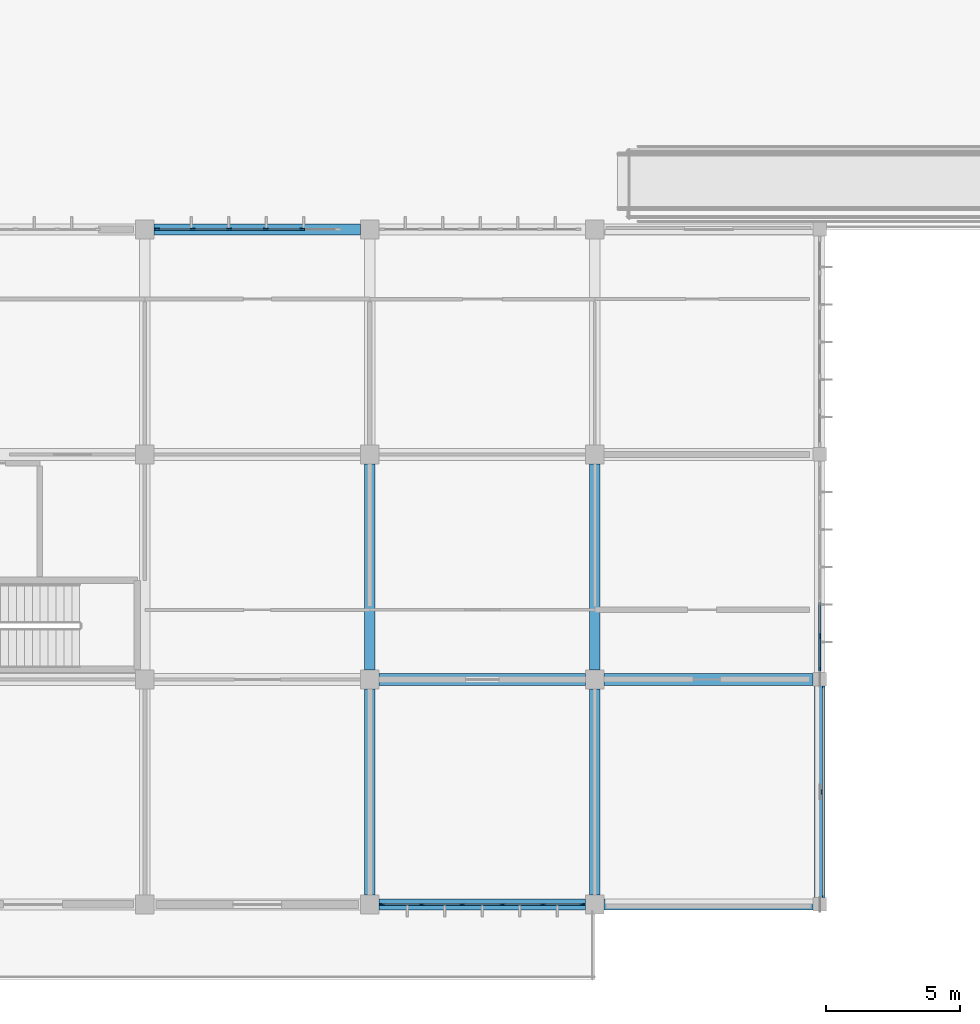
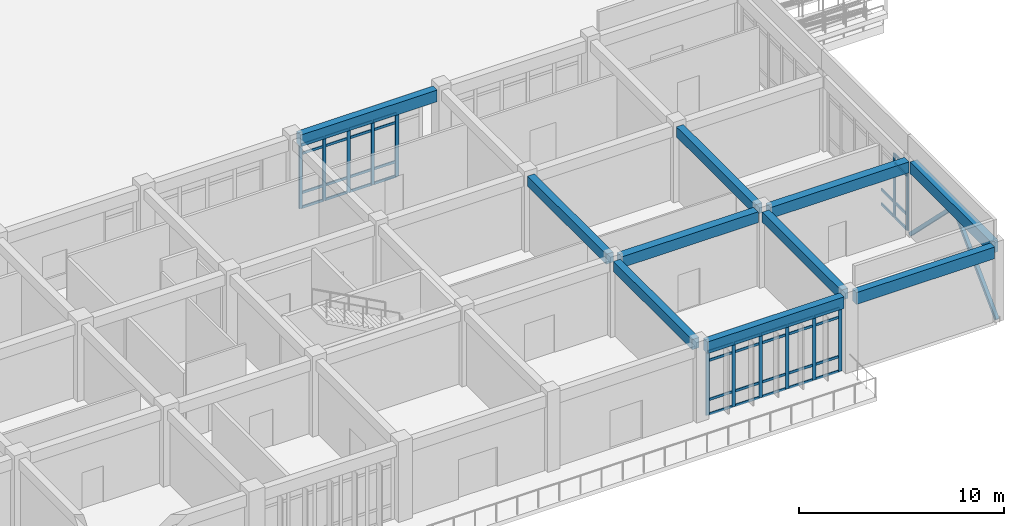
# One storey, part 49 of 138: 57 members, 10 beams, 3 elements without a shape of their own.
"""IFC4 building model written with IfcOpenShell, lengths in metres."""

from ifc_helpers import new_model, si_unit, direction, frame, origin, origin_2d, place, context, subcontext, project, spatial, rectangle, hollow_rectangle, extrude, material, layer, layer_set, material_profile, profile_set, type_object, element, aggregate, save


model = new_model("IFC4")

# Units and contexts
model_context = context("Model", 3, precision=1e-05, world=origin(), true_north=direction((0.0, 1.0)))
body_context = subcontext(model_context, "Body", "Model", "MODEL_VIEW")
ifc_project = project(units=[si_unit("LENGTHUNIT", "METRE"), si_unit("AREAUNIT", "SQUARE_METRE"), si_unit("VOLUMEUNIT", "CUBIC_METRE"), si_unit("PLANEANGLEUNIT", "RADIAN"), si_unit("MASSUNIT", "GRAM", prefix="KILO")], contexts=[model_context])

# Site, building, storey
site_placement = place(None, origin())
site = spatial("IfcSite", under=ifc_project, at=site_placement, CompositionType="ELEMENT")
building_placement = place(site_placement, origin())
building = spatial("IfcBuilding", under=site, at=building_placement, Name="Bramfleet General Hospital", CompositionType="ELEMENT")
storey_placement = place(building_placement, origin())
storey = spatial("IfcBuildingStorey", under=building, at=storey_placement, Name="L00", CompositionType="ELEMENT", Elevation=0.0)

# Beams
ifc_material_1 = material(Name="Concrete C35/45", Category="concrete")
ifc_material_profile_1 = material_profile(ifc_material_1, rectangle(XDim=0.39990234375, YDim=0.60009765625, at=origin_2d()), Name="RC BM 600x400")
ifc_profile_set_1 = profile_set([ifc_material_profile_1], Name="Concrete C35/45")
beam_type_1 = type_object("IfcBeamType", Name="BM-RC600", PredefinedType="BEAM", material=ifc_profile_set_1)
for number, where, z_axis, x_axis, name in (
    (1, (159.60009765625, 0.35009765625, 4.199951171875), (0.0, 1.0, 0.0), (-1.0, 0.0, 0.0), "L00 Grid Beam Y 19-00"),
    (2, (159.60009765625, 8.75, 4.199951171875), (0.0, 1.0, 0.0), (-1.0, 0.0, 0.0), "L00 Grid Beam Y 19-01"),
    (3, (168.0, 0.35009765625, 4.199951171875), (0.0, 1.0, 0.0), (-1.0, 0.0, 0.0), "L00 Grid Beam Y 20-00"),
    (4, (168.0, 8.75, 4.199951171875), (0.0, 1.0, 0.0), (-1.0, 0.0, 0.0), "L00 Grid Beam Y 20-01"),
):
    element("IfcBeam", number, at=place(storey_placement, frame(where, z_axis=z_axis, x_axis=x_axis)), inside=storey, type_object=beam_type_1, Name=name, PredefinedType="BEAM", context=body_context, shape_type="SweptSolid", body=[
        extrude(rectangle(XDim=0.39990234375, YDim=0.60009765625, at=origin_2d()), origin(), (0.0, 0.0, 1.0), 7.699951171875),
    ])
ifc_material_profile_2 = material_profile(ifc_material_1, rectangle(XDim=0.449951171875, YDim=0.64990234375, at=origin_2d()), Name="RC BM 650x450")
ifc_profile_set_2 = profile_set([ifc_material_profile_2], Name="Concrete C35/45")
beam_type_2 = type_object("IfcBeamType", Name="BM-RC650", PredefinedType="BEAM", material=ifc_profile_set_2)
beam_1_placement = place(storey_placement, frame((159.949951171875, 8.39990234375, 4.175048828125), z_axis=(1.0, 0.0, 0.0), x_axis=(0.0, 1.0, 0.0)))
element("IfcBeam", 5, at=beam_1_placement, inside=storey, type_object=beam_type_2, Name="L00 Grid Beam X 19-01", PredefinedType="BEAM", context=body_context, shape_type="SweptSolid", body=[
    extrude(rectangle(XDim=0.449951171875, YDim=0.64990234375, at=origin_2d()), origin(), (0.0, 0.0, 1.0), 7.699951171875),
])
beam_2_placement = place(storey_placement, frame((168.35009765625, 8.39990234375, 4.175048828125), z_axis=(1.0, 0.0, 0.0), x_axis=(0.0, 1.0, 0.0)))
element("IfcBeam", 6, at=beam_2_placement, inside=storey, type_object=beam_type_2, Name="L00 Grid Beam X 20-01", PredefinedType="BEAM", context=body_context, shape_type="SweptSolid", body=[
    extrude(rectangle(XDim=0.449951171875, YDim=0.64990234375, at=origin_2d()), origin(), (0.0, 0.0, 1.0), 7.7998046875),
])
ifc_material_profile_3 = material_profile(ifc_material_1, rectangle(XDim=0.39990234375, YDim=0.699951171875, at=origin_2d()), Name="RC SP 700x400")
ifc_profile_set_3 = profile_set([ifc_material_profile_3], Name="Concrete C35/45")
beam_type_3 = type_object("IfcBeamType", Name="BM-SP700", PredefinedType="SPANDREL", material=ifc_profile_set_3)
for number, where, z_axis, x_axis, name in (
    (7, (151.550048828125, 25.199951171875, 4.14990234375), (1.0, 0.0, 0.0), (0.0, 1.0, 0.0), "L00 Grid Beam X 18-03"),
    (8, (159.949951171875, 0.0, 4.14990234375), (1.0, 0.0, 0.0), (0.0, 1.0, 0.0), "L00 Grid Beam X 19-00"),
):
    element("IfcBeam", number, at=place(storey_placement, frame(where, z_axis=z_axis, x_axis=x_axis)), inside=storey, type_object=beam_type_3, Name=name, PredefinedType="SPANDREL", context=body_context, shape_type="SweptSolid", body=[
        extrude(rectangle(XDim=0.39990234375, YDim=0.699951171875, at=origin_2d()), origin(), (0.0, 0.0, 1.0), 7.699951171875),
    ])
beam_3_placement = place(storey_placement, frame((168.35009765625, 0.0, 4.14990234375), z_axis=(1.0, 0.0, 0.0), x_axis=(0.0, 1.0, 0.0)))
element("IfcBeam", 9, at=beam_3_placement, inside=storey, type_object=beam_type_3, Name="L00 Grid Beam X 20-00", PredefinedType="SPANDREL", context=body_context, shape_type="SweptSolid", body=[
    extrude(rectangle(XDim=0.39990234375, YDim=0.699951171875, at=origin_2d()), origin(), (0.0, 0.0, 1.0), 7.7998046875),
])
beam_4_placement = place(storey_placement, frame((176.39990234375, 0.25, 4.14990234375), z_axis=(0.0, 1.0, 0.0), x_axis=(-1.0, 0.0, 0.0)))
element("IfcBeam", 10, at=beam_4_placement, inside=storey, type_object=beam_type_3, Name="L00 Grid Beam Y 21-00", PredefinedType="SPANDREL", context=body_context, shape_type="SweptSolid", body=[
    extrude(rectangle(XDim=0.39990234375, YDim=0.699951171875, at=origin_2d()), origin(), (0.0, 0.0, 1.0), 7.89990234375),
])

# Curtain wall, members
ifc_material_2 = material(Name="Anodised aluminium and low-E triple glazing", Category="aluminium")
ifc_layer_1 = layer(ifc_material_2, 0.179931640625, Name="CWT-CW-11")
ifc_layer_set_1 = layer_set([ifc_layer_1], Name="Anodised aluminium and low-E triple glazing")
curtain_wall_type_1 = type_object("IfcCurtainWallType", Name="CWT-CW-11", PredefinedType="USERDEFINED", material=ifc_layer_set_1)
curtain_wall_1_placement = place(storey_placement, origin())
curtain_wall_1 = element("IfcCurtainWall", 11, at=curtain_wall_1_placement, inside=storey, type_object=curtain_wall_type_1, Name="L00 Curtain Wall 29", ObjectType="Stick curtain wall", PredefinedType="USERDEFINED")
ifc_material_3 = material(Name="Structural timber GL28h", Category="wood")
ifc_material_profile_4 = material_profile(ifc_material_3, rectangle(XDim=0.070068359375, YDim=0.18994140625, at=origin_2d()), Name="LARCH 190x70")
ifc_profile_set_4 = profile_set([ifc_material_profile_4], Name="Structural timber GL28h")
member_type_1 = type_object("IfcMemberType", Name="CWM-LARCH450", PredefinedType="MULLION", material=ifc_profile_set_4)
member_1_placement = place(storey_placement, frame((151.659912109375, 25.199951171875, 0.0), z_axis=(0.0, 0.0, 1.0), x_axis=(0.0, 1.0, 0.0)))
member_1 = element("IfcMember", 12, at=member_1_placement, type_object=member_type_1, Name="CW-11 mullion 1", PredefinedType="MULLION", context=body_context, shape_type="SweptSolid", body=[
    extrude(rectangle(XDim=0.070068359375, YDim=0.18994140625, at=origin_2d()), origin(), (0.0, 0.0, 1.0), 3.7900390625),
])
member_2_placement = place(storey_placement, frame((152.989501953125, 25.199951171875, 0.0), z_axis=(0.0, 0.0, 1.0), x_axis=(0.0, 1.0, 0.0)))
member_2 = element("IfcMember", 13, at=member_2_placement, type_object=member_type_1, Name="CW-11 mullion 2", PredefinedType="MULLION", context=body_context, shape_type="SweptSolid", body=[
    extrude(rectangle(XDim=0.070068359375, YDim=0.18994140625, at=origin_2d()), origin(), (0.0, 0.0, 1.0), 3.7900390625),
])
member_3_placement = place(storey_placement, frame((154.354248046875, 25.199951171875, 0.0), z_axis=(0.0, 0.0, 1.0), x_axis=(0.0, 1.0, 0.0)))
member_3 = element("IfcMember", 14, at=member_3_placement, type_object=member_type_1, Name="CW-11 mullion 3", PredefinedType="MULLION", context=body_context, shape_type="SweptSolid", body=[
    extrude(rectangle(XDim=0.070068359375, YDim=0.18994140625, at=origin_2d()), origin(), (0.0, 0.0, 1.0), 3.7900390625),
])
member_4_placement = place(storey_placement, frame((155.71875, 25.199951171875, 0.0), z_axis=(0.0, 0.0, 1.0), x_axis=(0.0, 1.0, 0.0)))
member_4 = element("IfcMember", 15, at=member_4_placement, type_object=member_type_1, Name="CW-11 mullion 4", PredefinedType="MULLION", context=body_context, shape_type="SweptSolid", body=[
    extrude(rectangle(XDim=0.070068359375, YDim=0.18994140625, at=origin_2d()), origin(), (0.0, 0.0, 1.0), 3.7900390625),
])
member_5_placement = place(storey_placement, frame((157.08349609375, 25.199951171875, 0.0), z_axis=(0.0, 0.0, 1.0), x_axis=(0.0, 1.0, 0.0)))
member_5 = element("IfcMember", 16, at=member_5_placement, type_object=member_type_1, Name="CW-11 mullion 5", PredefinedType="MULLION", context=body_context, shape_type="SweptSolid", body=[
    extrude(rectangle(XDim=0.070068359375, YDim=0.18994140625, at=origin_2d()), origin(), (0.0, 0.0, 1.0), 3.7900390625),
])

ifc_layer_2 = layer(ifc_material_2, 0.179931640625, Name="CWT-CW-14")
ifc_layer_set_2 = layer_set([ifc_layer_2], Name="Anodised aluminium and low-E triple glazing")
curtain_wall_type_2 = type_object("IfcCurtainWallType", Name="CWT-CW-14", PredefinedType="USERDEFINED", material=ifc_layer_set_2)
curtain_wall_2_placement = place(storey_placement, origin())
curtain_wall_2 = element("IfcCurtainWall", 17, at=curtain_wall_2_placement, inside=storey, type_object=curtain_wall_type_2, Name="L00 Curtain Wall 32", ObjectType="Stick curtain wall", PredefinedType="USERDEFINED")
member_6_placement = place(storey_placement, frame((176.39990234375, 10.0166015625, 0.0), z_axis=(0.0, 0.0, 1.0), x_axis=(1.0, 0.0, 0.0)))
member_6 = element("IfcMember", 18, at=member_6_placement, type_object=member_type_1, Name="CW-14 mullion 6", PredefinedType="MULLION", context=body_context, shape_type="SweptSolid", body=[
    extrude(rectangle(XDim=0.070068359375, YDim=0.18994140625, at=origin_2d()), origin(), (0.0, 0.0, 1.0), 3.7900390625),
])
member_7_placement = place(storey_placement, frame((176.39990234375, 8.760009765625, 0.0), z_axis=(0.0, 0.0, 1.0), x_axis=(1.0, 0.0, 0.0)))
member_7 = element("IfcMember", 19, at=member_7_placement, type_object=member_type_1, Name="CW-14 mullion 7", PredefinedType="MULLION", context=body_context, shape_type="SweptSolid", body=[
    extrude(rectangle(XDim=0.070068359375, YDim=0.18994140625, at=origin_2d()), origin(), (0.0, 0.0, 1.0), 3.7900390625),
])

ifc_layer_3 = layer(ifc_material_2, 0.179931640625, Name="CWT-CW-15")
ifc_layer_set_3 = layer_set([ifc_layer_3], Name="Anodised aluminium and low-E triple glazing")
curtain_wall_type_3 = type_object("IfcCurtainWallType", Name="CWT-CW-15", PredefinedType="USERDEFINED", material=ifc_layer_set_3)
curtain_wall_3_placement = place(storey_placement, origin())
curtain_wall_3 = element("IfcCurtainWall", 20, at=curtain_wall_3_placement, inside=storey, type_object=curtain_wall_type_3, Name="L00 Curtain Wall 33", ObjectType="Stick curtain wall", PredefinedType="USERDEFINED")
member_8_placement = place(storey_placement, frame((167.5400390625, 0.0, 0.0), z_axis=(0.0, 0.0, 1.0), x_axis=(0.0, -1.0, 0.0)))
member_8 = element("IfcMember", 21, at=member_8_placement, type_object=member_type_1, Name="CW-15 mullion 1", PredefinedType="MULLION", context=body_context, shape_type="SweptSolid", body=[
    extrude(rectangle(XDim=0.070068359375, YDim=0.18994140625, at=origin_2d()), origin(), (0.0, 0.0, 1.0), 3.7900390625),
])
member_9_placement = place(storey_placement, frame((166.06494140625, 0.0, 0.0), z_axis=(0.0, 0.0, 1.0), x_axis=(0.0, -1.0, 0.0)))
member_9 = element("IfcMember", 22, at=member_9_placement, type_object=member_type_1, Name="CW-15 mullion 2", PredefinedType="MULLION", context=body_context, shape_type="SweptSolid", body=[
    extrude(rectangle(XDim=0.070068359375, YDim=0.18994140625, at=origin_2d()), origin(), (0.0, 0.0, 1.0), 3.7900390625),
])
member_10_placement = place(storey_placement, frame((164.554931640625, 0.0, 0.0), z_axis=(0.0, 0.0, 1.0), x_axis=(0.0, -1.0, 0.0)))
member_10 = element("IfcMember", 23, at=member_10_placement, type_object=member_type_1, Name="CW-15 mullion 3", PredefinedType="MULLION", context=body_context, shape_type="SweptSolid", body=[
    extrude(rectangle(XDim=0.070068359375, YDim=0.18994140625, at=origin_2d()), origin(), (0.0, 0.0, 1.0), 3.7900390625),
])
member_11_placement = place(storey_placement, frame((163.044921875, 0.0, 0.0), z_axis=(0.0, 0.0, 1.0), x_axis=(0.0, -1.0, 0.0)))
member_11 = element("IfcMember", 24, at=member_11_placement, type_object=member_type_1, Name="CW-15 mullion 4", PredefinedType="MULLION", context=body_context, shape_type="SweptSolid", body=[
    extrude(rectangle(XDim=0.070068359375, YDim=0.18994140625, at=origin_2d()), origin(), (0.0, 0.0, 1.0), 3.7900390625),
])
member_12_placement = place(storey_placement, frame((161.534912109375, 0.0, 0.0), z_axis=(0.0, 0.0, 1.0), x_axis=(0.0, -1.0, 0.0)))
member_12 = element("IfcMember", 25, at=member_12_placement, type_object=member_type_1, Name="CW-15 mullion 5", PredefinedType="MULLION", context=body_context, shape_type="SweptSolid", body=[
    extrude(rectangle(XDim=0.070068359375, YDim=0.18994140625, at=origin_2d()), origin(), (0.0, 0.0, 1.0), 3.7900390625),
])
member_13_placement = place(storey_placement, frame((160.06005859375, 0.0, 0.0), z_axis=(0.0, 0.0, 1.0), x_axis=(0.0, -1.0, 0.0)))
member_13 = element("IfcMember", 26, at=member_13_placement, type_object=member_type_1, Name="CW-15 mullion 6", PredefinedType="MULLION", context=body_context, shape_type="SweptSolid", body=[
    extrude(rectangle(XDim=0.070068359375, YDim=0.18994140625, at=origin_2d()), origin(), (0.0, 0.0, 1.0), 3.7900390625),
])

# Member
ifc_material_profile_5 = material_profile(ifc_material_3, rectangle(XDim=0.06494140625, YDim=0.14990234375, at=origin_2d()), Name="LARCH 150x65")
ifc_profile_set_5 = profile_set([ifc_material_profile_5], Name="Structural timber GL28h")
member_type_2 = type_object("IfcMemberType", Name="CWT-LARCH220", PredefinedType="USERDEFINED", material=ifc_profile_set_5)
member_14_placement = place(storey_placement, frame((151.695068359375, 25.199951171875, 0.032470703125), z_axis=(1.0, 0.0, 0.0), x_axis=(0.0, 1.0, 0.0)))
member_14 = element("IfcMember", 27, at=member_14_placement, type_object=member_type_2, Name="CW-11 transom 1.1", ObjectType="TRANSOM", PredefinedType="USERDEFINED", context=body_context, shape_type="SweptSolid", body=[
    extrude(rectangle(XDim=0.06494140625, YDim=0.14990234375, at=origin_2d()), origin(), (0.0, 0.0, 1.0), 1.259521484375),
])

member_15_placement = place(storey_placement, frame((151.695068359375, 25.199951171875, 0.89990234375), z_axis=(1.0, 0.0, 0.0), x_axis=(0.0, 1.0, 0.0)))
member_15 = element("IfcMember", 28, at=member_15_placement, type_object=member_type_2, Name="CW-11 transom 1.2", ObjectType="TRANSOM", PredefinedType="USERDEFINED", context=body_context, shape_type="SweptSolid", body=[
    extrude(rectangle(XDim=0.06494140625, YDim=0.14990234375, at=origin_2d()), origin(), (0.0, 0.0, 1.0), 1.259521484375),
])

member_16_placement = place(storey_placement, frame((151.695068359375, 25.199951171875, 3.239990234375), z_axis=(1.0, 0.0, 0.0), x_axis=(0.0, 1.0, 0.0)))
member_16 = element("IfcMember", 29, at=member_16_placement, type_object=member_type_2, Name="CW-11 transom 1.3", ObjectType="TRANSOM", PredefinedType="USERDEFINED", context=body_context, shape_type="SweptSolid", body=[
    extrude(rectangle(XDim=0.06494140625, YDim=0.14990234375, at=origin_2d()), origin(), (0.0, 0.0, 1.0), 1.259521484375),
])

member_17_placement = place(storey_placement, frame((151.695068359375, 25.199951171875, 3.757568359375), z_axis=(1.0, 0.0, 0.0), x_axis=(0.0, 1.0, 0.0)))
member_17 = element("IfcMember", 30, at=member_17_placement, type_object=member_type_2, Name="CW-11 transom 1.4", ObjectType="TRANSOM", PredefinedType="USERDEFINED", context=body_context, shape_type="SweptSolid", body=[
    extrude(rectangle(XDim=0.06494140625, YDim=0.14990234375, at=origin_2d()), origin(), (0.0, 0.0, 1.0), 1.259521484375),
])

member_18_placement = place(storey_placement, frame((153.024658203125, 25.199951171875, 0.032470703125), z_axis=(1.0, 0.0, 0.0), x_axis=(0.0, 1.0, 0.0)))
member_18 = element("IfcMember", 31, at=member_18_placement, type_object=member_type_2, Name="CW-11 transom 2.1", ObjectType="TRANSOM", PredefinedType="USERDEFINED", context=body_context, shape_type="SweptSolid", body=[
    extrude(rectangle(XDim=0.06494140625, YDim=0.14990234375, at=origin_2d()), origin(), (0.0, 0.0, 1.0), 1.29443359375),
])

member_19_placement = place(storey_placement, frame((153.024658203125, 25.199951171875, 0.89990234375), z_axis=(1.0, 0.0, 0.0), x_axis=(0.0, 1.0, 0.0)))
member_19 = element("IfcMember", 32, at=member_19_placement, type_object=member_type_2, Name="CW-11 transom 2.2", ObjectType="TRANSOM", PredefinedType="USERDEFINED", context=body_context, shape_type="SweptSolid", body=[
    extrude(rectangle(XDim=0.06494140625, YDim=0.14990234375, at=origin_2d()), origin(), (0.0, 0.0, 1.0), 1.29443359375),
])

member_20_placement = place(storey_placement, frame((153.024658203125, 25.199951171875, 3.239990234375), z_axis=(1.0, 0.0, 0.0), x_axis=(0.0, 1.0, 0.0)))
member_20 = element("IfcMember", 33, at=member_20_placement, type_object=member_type_2, Name="CW-11 transom 2.3", ObjectType="TRANSOM", PredefinedType="USERDEFINED", context=body_context, shape_type="SweptSolid", body=[
    extrude(rectangle(XDim=0.06494140625, YDim=0.14990234375, at=origin_2d()), origin(), (0.0, 0.0, 1.0), 1.29443359375),
])

member_21_placement = place(storey_placement, frame((153.024658203125, 25.199951171875, 3.757568359375), z_axis=(1.0, 0.0, 0.0), x_axis=(0.0, 1.0, 0.0)))
member_21 = element("IfcMember", 34, at=member_21_placement, type_object=member_type_2, Name="CW-11 transom 2.4", ObjectType="TRANSOM", PredefinedType="USERDEFINED", context=body_context, shape_type="SweptSolid", body=[
    extrude(rectangle(XDim=0.06494140625, YDim=0.14990234375, at=origin_2d()), origin(), (0.0, 0.0, 1.0), 1.29443359375),
])

member_22_placement = place(storey_placement, frame((154.38916015625, 25.199951171875, 0.032470703125), z_axis=(1.0, 0.0, 0.0), x_axis=(0.0, 1.0, 0.0)))
member_22 = element("IfcMember", 35, at=member_22_placement, type_object=member_type_2, Name="CW-11 transom 3.1", ObjectType="TRANSOM", PredefinedType="USERDEFINED", context=body_context, shape_type="SweptSolid", body=[
    extrude(rectangle(XDim=0.06494140625, YDim=0.14990234375, at=origin_2d()), origin(), (0.0, 0.0, 1.0), 1.294677734375),
])

member_23_placement = place(storey_placement, frame((154.38916015625, 25.199951171875, 0.89990234375), z_axis=(1.0, 0.0, 0.0), x_axis=(0.0, 1.0, 0.0)))
member_23 = element("IfcMember", 36, at=member_23_placement, type_object=member_type_2, Name="CW-11 transom 3.2", ObjectType="TRANSOM", PredefinedType="USERDEFINED", context=body_context, shape_type="SweptSolid", body=[
    extrude(rectangle(XDim=0.06494140625, YDim=0.14990234375, at=origin_2d()), origin(), (0.0, 0.0, 1.0), 1.294677734375),
])

member_24_placement = place(storey_placement, frame((154.38916015625, 25.199951171875, 3.239990234375), z_axis=(1.0, 0.0, 0.0), x_axis=(0.0, 1.0, 0.0)))
member_24 = element("IfcMember", 37, at=member_24_placement, type_object=member_type_2, Name="CW-11 transom 3.3", ObjectType="TRANSOM", PredefinedType="USERDEFINED", context=body_context, shape_type="SweptSolid", body=[
    extrude(rectangle(XDim=0.06494140625, YDim=0.14990234375, at=origin_2d()), origin(), (0.0, 0.0, 1.0), 1.294677734375),
])

member_25_placement = place(storey_placement, frame((154.38916015625, 25.199951171875, 3.757568359375), z_axis=(1.0, 0.0, 0.0), x_axis=(0.0, 1.0, 0.0)))
member_25 = element("IfcMember", 38, at=member_25_placement, type_object=member_type_2, Name="CW-11 transom 3.4", ObjectType="TRANSOM", PredefinedType="USERDEFINED", context=body_context, shape_type="SweptSolid", body=[
    extrude(rectangle(XDim=0.06494140625, YDim=0.14990234375, at=origin_2d()), origin(), (0.0, 0.0, 1.0), 1.294677734375),
])

member_26_placement = place(storey_placement, frame((155.75390625, 25.199951171875, 0.032470703125), z_axis=(1.0, 0.0, 0.0), x_axis=(0.0, 1.0, 0.0)))
member_26 = element("IfcMember", 39, at=member_26_placement, type_object=member_type_2, Name="CW-11 transom 4.1", ObjectType="TRANSOM", PredefinedType="USERDEFINED", context=body_context, shape_type="SweptSolid", body=[
    extrude(rectangle(XDim=0.06494140625, YDim=0.14990234375, at=origin_2d()), origin(), (0.0, 0.0, 1.0), 1.29443359375),
])

member_27_placement = place(storey_placement, frame((155.75390625, 25.199951171875, 0.89990234375), z_axis=(1.0, 0.0, 0.0), x_axis=(0.0, 1.0, 0.0)))
member_27 = element("IfcMember", 40, at=member_27_placement, type_object=member_type_2, Name="CW-11 transom 4.2", ObjectType="TRANSOM", PredefinedType="USERDEFINED", context=body_context, shape_type="SweptSolid", body=[
    extrude(rectangle(XDim=0.06494140625, YDim=0.14990234375, at=origin_2d()), origin(), (0.0, 0.0, 1.0), 1.29443359375),
])

member_28_placement = place(storey_placement, frame((155.75390625, 25.199951171875, 3.239990234375), z_axis=(1.0, 0.0, 0.0), x_axis=(0.0, 1.0, 0.0)))
member_28 = element("IfcMember", 41, at=member_28_placement, type_object=member_type_2, Name="CW-11 transom 4.3", ObjectType="TRANSOM", PredefinedType="USERDEFINED", context=body_context, shape_type="SweptSolid", body=[
    extrude(rectangle(XDim=0.06494140625, YDim=0.14990234375, at=origin_2d()), origin(), (0.0, 0.0, 1.0), 1.29443359375),
])

member_29_placement = place(storey_placement, frame((155.75390625, 25.199951171875, 3.757568359375), z_axis=(1.0, 0.0, 0.0), x_axis=(0.0, 1.0, 0.0)))
member_29 = element("IfcMember", 42, at=member_29_placement, type_object=member_type_2, Name="CW-11 transom 4.4", ObjectType="TRANSOM", PredefinedType="USERDEFINED", context=body_context, shape_type="SweptSolid", body=[
    extrude(rectangle(XDim=0.06494140625, YDim=0.14990234375, at=origin_2d()), origin(), (0.0, 0.0, 1.0), 1.29443359375),
])

aggregate(curtain_wall_1, [member_1, member_2, member_3, member_4, member_5, member_14, member_15, member_16, member_17, member_18, member_19, member_20, member_21, member_22, member_23, member_24, member_25, member_26, member_27, member_28, member_29])

member_30_placement = place(storey_placement, frame((176.39990234375, 11.2734375, 0.032470703125), z_axis=(0.0, -1.0, 0.0), x_axis=(1.0, 0.0, 0.0)))
member_30 = element("IfcMember", 43, at=member_30_placement, type_object=member_type_2, Name="CW-14 transom 5.1", ObjectType="TRANSOM", PredefinedType="USERDEFINED", context=body_context, shape_type="SweptSolid", body=[
    extrude(rectangle(XDim=0.06494140625, YDim=0.14990234375, at=origin_2d()), origin(), (0.0, 0.0, 1.0), 1.2216796875),
])

member_31_placement = place(storey_placement, frame((176.39990234375, 11.2734375, 0.89990234375), z_axis=(0.0, -1.0, 0.0), x_axis=(1.0, 0.0, 0.0)))
member_31 = element("IfcMember", 44, at=member_31_placement, type_object=member_type_2, Name="CW-14 transom 5.2", ObjectType="TRANSOM", PredefinedType="USERDEFINED", context=body_context, shape_type="SweptSolid", body=[
    extrude(rectangle(XDim=0.06494140625, YDim=0.14990234375, at=origin_2d()), origin(), (0.0, 0.0, 1.0), 1.2216796875),
])

member_32_placement = place(storey_placement, frame((176.39990234375, 9.981689453125, 0.032470703125), z_axis=(0.0, -1.0, 0.0), x_axis=(1.0, 0.0, 0.0)))
member_32 = element("IfcMember", 45, at=member_32_placement, type_object=member_type_2, Name="CW-14 transom 6.1", ObjectType="TRANSOM", PredefinedType="USERDEFINED", context=body_context, shape_type="SweptSolid", body=[
    extrude(rectangle(XDim=0.06494140625, YDim=0.14990234375, at=origin_2d()), origin(), (0.0, 0.0, 1.0), 1.186767578125),
])

member_33_placement = place(storey_placement, frame((176.39990234375, 9.981689453125, 0.89990234375), z_axis=(0.0, -1.0, 0.0), x_axis=(1.0, 0.0, 0.0)))
member_33 = element("IfcMember", 46, at=member_33_placement, type_object=member_type_2, Name="CW-14 transom 6.2", ObjectType="TRANSOM", PredefinedType="USERDEFINED", context=body_context, shape_type="SweptSolid", body=[
    extrude(rectangle(XDim=0.06494140625, YDim=0.14990234375, at=origin_2d()), origin(), (0.0, 0.0, 1.0), 1.186767578125),
])

member_34_placement = place(storey_placement, frame((176.39990234375, 9.981689453125, 3.239990234375), z_axis=(0.0, -1.0, 0.0), x_axis=(1.0, 0.0, 0.0)))
member_34 = element("IfcMember", 47, at=member_34_placement, type_object=member_type_2, Name="CW-14 transom 6.3", ObjectType="TRANSOM", PredefinedType="USERDEFINED", context=body_context, shape_type="SweptSolid", body=[
    extrude(rectangle(XDim=0.06494140625, YDim=0.14990234375, at=origin_2d()), origin(), (0.0, 0.0, 1.0), 1.186767578125),
])

member_35_placement = place(storey_placement, frame((176.39990234375, 9.981689453125, 3.757568359375), z_axis=(0.0, -1.0, 0.0), x_axis=(1.0, 0.0, 0.0)))
member_35 = element("IfcMember", 48, at=member_35_placement, type_object=member_type_2, Name="CW-14 transom 6.4", ObjectType="TRANSOM", PredefinedType="USERDEFINED", context=body_context, shape_type="SweptSolid", body=[
    extrude(rectangle(XDim=0.06494140625, YDim=0.14990234375, at=origin_2d()), origin(), (0.0, 0.0, 1.0), 1.186767578125),
])

aggregate(curtain_wall_2, [member_6, member_7, member_30, member_31, member_32, member_33, member_34, member_35])

member_36_placement = place(storey_placement, frame((167.5048828125, 0.0, 0.032470703125), z_axis=(-1.0, 0.0, 0.0), x_axis=(0.0, -1.0, 0.0)))
member_36 = element("IfcMember", 49, at=member_36_placement, type_object=member_type_2, Name="CW-15 transom 1.1", ObjectType="TRANSOM", PredefinedType="USERDEFINED", context=body_context, shape_type="SweptSolid", body=[
    extrude(rectangle(XDim=0.06494140625, YDim=0.14990234375, at=origin_2d()), origin(), (0.0, 0.0, 1.0), 1.40478515625),
])

member_37_placement = place(storey_placement, frame((167.5048828125, 0.0, 0.89990234375), z_axis=(-1.0, 0.0, 0.0), x_axis=(0.0, -1.0, 0.0)))
member_37 = element("IfcMember", 50, at=member_37_placement, type_object=member_type_2, Name="CW-15 transom 1.2", ObjectType="TRANSOM", PredefinedType="USERDEFINED", context=body_context, shape_type="SweptSolid", body=[
    extrude(rectangle(XDim=0.06494140625, YDim=0.14990234375, at=origin_2d()), origin(), (0.0, 0.0, 1.0), 1.40478515625),
])

member_38_placement = place(storey_placement, frame((167.5048828125, 0.0, 3.239990234375), z_axis=(-1.0, 0.0, 0.0), x_axis=(0.0, -1.0, 0.0)))
member_38 = element("IfcMember", 51, at=member_38_placement, type_object=member_type_2, Name="CW-15 transom 1.3", ObjectType="TRANSOM", PredefinedType="USERDEFINED", context=body_context, shape_type="SweptSolid", body=[
    extrude(rectangle(XDim=0.06494140625, YDim=0.14990234375, at=origin_2d()), origin(), (0.0, 0.0, 1.0), 1.40478515625),
])

member_39_placement = place(storey_placement, frame((167.5048828125, 0.0, 3.757568359375), z_axis=(-1.0, 0.0, 0.0), x_axis=(0.0, -1.0, 0.0)))
member_39 = element("IfcMember", 52, at=member_39_placement, type_object=member_type_2, Name="CW-15 transom 1.4", ObjectType="TRANSOM", PredefinedType="USERDEFINED", context=body_context, shape_type="SweptSolid", body=[
    extrude(rectangle(XDim=0.06494140625, YDim=0.14990234375, at=origin_2d()), origin(), (0.0, 0.0, 1.0), 1.40478515625),
])

member_40_placement = place(storey_placement, frame((166.030029296875, 0.0, 0.032470703125), z_axis=(-1.0, 0.0, 0.0), x_axis=(0.0, -1.0, 0.0)))
member_40 = element("IfcMember", 53, at=member_40_placement, type_object=member_type_2, Name="CW-15 transom 2.1", ObjectType="TRANSOM", PredefinedType="USERDEFINED", context=body_context, shape_type="SweptSolid", body=[
    extrude(rectangle(XDim=0.06494140625, YDim=0.14990234375, at=origin_2d()), origin(), (0.0, 0.0, 1.0), 1.43994140625),
])

member_41_placement = place(storey_placement, frame((166.030029296875, 0.0, 0.89990234375), z_axis=(-1.0, 0.0, 0.0), x_axis=(0.0, -1.0, 0.0)))
member_41 = element("IfcMember", 54, at=member_41_placement, type_object=member_type_2, Name="CW-15 transom 2.2", ObjectType="TRANSOM", PredefinedType="USERDEFINED", context=body_context, shape_type="SweptSolid", body=[
    extrude(rectangle(XDim=0.06494140625, YDim=0.14990234375, at=origin_2d()), origin(), (0.0, 0.0, 1.0), 1.43994140625),
])

member_42_placement = place(storey_placement, frame((166.030029296875, 0.0, 3.239990234375), z_axis=(-1.0, 0.0, 0.0), x_axis=(0.0, -1.0, 0.0)))
member_42 = element("IfcMember", 55, at=member_42_placement, type_object=member_type_2, Name="CW-15 transom 2.3", ObjectType="TRANSOM", PredefinedType="USERDEFINED", context=body_context, shape_type="SweptSolid", body=[
    extrude(rectangle(XDim=0.06494140625, YDim=0.14990234375, at=origin_2d()), origin(), (0.0, 0.0, 1.0), 1.43994140625),
])

member_43_placement = place(storey_placement, frame((166.030029296875, 0.0, 3.757568359375), z_axis=(-1.0, 0.0, 0.0), x_axis=(0.0, -1.0, 0.0)))
member_43 = element("IfcMember", 56, at=member_43_placement, type_object=member_type_2, Name="CW-15 transom 2.4", ObjectType="TRANSOM", PredefinedType="USERDEFINED", context=body_context, shape_type="SweptSolid", body=[
    extrude(rectangle(XDim=0.06494140625, YDim=0.14990234375, at=origin_2d()), origin(), (0.0, 0.0, 1.0), 1.43994140625),
])

member_44_placement = place(storey_placement, frame((164.52001953125, 0.0, 0.032470703125), z_axis=(-1.0, 0.0, 0.0), x_axis=(0.0, -1.0, 0.0)))
member_44 = element("IfcMember", 57, at=member_44_placement, type_object=member_type_2, Name="CW-15 transom 3.1", ObjectType="TRANSOM", PredefinedType="USERDEFINED", context=body_context, shape_type="SweptSolid", body=[
    extrude(rectangle(XDim=0.06494140625, YDim=0.14990234375, at=origin_2d()), origin(), (0.0, 0.0, 1.0), 1.43994140625),
])

member_45_placement = place(storey_placement, frame((164.52001953125, 0.0, 0.89990234375), z_axis=(-1.0, 0.0, 0.0), x_axis=(0.0, -1.0, 0.0)))
member_45 = element("IfcMember", 58, at=member_45_placement, type_object=member_type_2, Name="CW-15 transom 3.2", ObjectType="TRANSOM", PredefinedType="USERDEFINED", context=body_context, shape_type="SweptSolid", body=[
    extrude(rectangle(XDim=0.06494140625, YDim=0.14990234375, at=origin_2d()), origin(), (0.0, 0.0, 1.0), 1.43994140625),
])

member_46_placement = place(storey_placement, frame((164.52001953125, 0.0, 3.239990234375), z_axis=(-1.0, 0.0, 0.0), x_axis=(0.0, -1.0, 0.0)))
member_46 = element("IfcMember", 59, at=member_46_placement, type_object=member_type_2, Name="CW-15 transom 3.3", ObjectType="TRANSOM", PredefinedType="USERDEFINED", context=body_context, shape_type="SweptSolid", body=[
    extrude(rectangle(XDim=0.06494140625, YDim=0.14990234375, at=origin_2d()), origin(), (0.0, 0.0, 1.0), 1.43994140625),
])

member_47_placement = place(storey_placement, frame((164.52001953125, 0.0, 3.757568359375), z_axis=(-1.0, 0.0, 0.0), x_axis=(0.0, -1.0, 0.0)))
member_47 = element("IfcMember", 60, at=member_47_placement, type_object=member_type_2, Name="CW-15 transom 3.4", ObjectType="TRANSOM", PredefinedType="USERDEFINED", context=body_context, shape_type="SweptSolid", body=[
    extrude(rectangle(XDim=0.06494140625, YDim=0.14990234375, at=origin_2d()), origin(), (0.0, 0.0, 1.0), 1.43994140625),
])

member_48_placement = place(storey_placement, frame((163.010009765625, 0.0, 0.032470703125), z_axis=(-1.0, 0.0, 0.0), x_axis=(0.0, -1.0, 0.0)))
member_48 = element("IfcMember", 61, at=member_48_placement, type_object=member_type_2, Name="CW-15 transom 4.1", ObjectType="TRANSOM", PredefinedType="USERDEFINED", context=body_context, shape_type="SweptSolid", body=[
    extrude(rectangle(XDim=0.06494140625, YDim=0.14990234375, at=origin_2d()), origin(), (0.0, 0.0, 1.0), 1.43994140625),
])

member_49_placement = place(storey_placement, frame((163.010009765625, 0.0, 0.89990234375), z_axis=(-1.0, 0.0, 0.0), x_axis=(0.0, -1.0, 0.0)))
member_49 = element("IfcMember", 62, at=member_49_placement, type_object=member_type_2, Name="CW-15 transom 4.2", ObjectType="TRANSOM", PredefinedType="USERDEFINED", context=body_context, shape_type="SweptSolid", body=[
    extrude(rectangle(XDim=0.06494140625, YDim=0.14990234375, at=origin_2d()), origin(), (0.0, 0.0, 1.0), 1.43994140625),
])

member_50_placement = place(storey_placement, frame((163.010009765625, 0.0, 3.239990234375), z_axis=(-1.0, 0.0, 0.0), x_axis=(0.0, -1.0, 0.0)))
member_50 = element("IfcMember", 63, at=member_50_placement, type_object=member_type_2, Name="CW-15 transom 4.3", ObjectType="TRANSOM", PredefinedType="USERDEFINED", context=body_context, shape_type="SweptSolid", body=[
    extrude(rectangle(XDim=0.06494140625, YDim=0.14990234375, at=origin_2d()), origin(), (0.0, 0.0, 1.0), 1.43994140625),
])

member_51_placement = place(storey_placement, frame((163.010009765625, 0.0, 3.757568359375), z_axis=(-1.0, 0.0, 0.0), x_axis=(0.0, -1.0, 0.0)))
member_51 = element("IfcMember", 64, at=member_51_placement, type_object=member_type_2, Name="CW-15 transom 4.4", ObjectType="TRANSOM", PredefinedType="USERDEFINED", context=body_context, shape_type="SweptSolid", body=[
    extrude(rectangle(XDim=0.06494140625, YDim=0.14990234375, at=origin_2d()), origin(), (0.0, 0.0, 1.0), 1.43994140625),
])

member_52_placement = place(storey_placement, frame((161.5, 0.0, 0.032470703125), z_axis=(-1.0, 0.0, 0.0), x_axis=(0.0, -1.0, 0.0)))
member_52 = element("IfcMember", 65, at=member_52_placement, type_object=member_type_2, Name="CW-15 transom 5.1", ObjectType="TRANSOM", PredefinedType="USERDEFINED", context=body_context, shape_type="SweptSolid", body=[
    extrude(rectangle(XDim=0.06494140625, YDim=0.14990234375, at=origin_2d()), origin(), (0.0, 0.0, 1.0), 1.405029296875),
])

member_53_placement = place(storey_placement, frame((161.5, 0.0, 0.89990234375), z_axis=(-1.0, 0.0, 0.0), x_axis=(0.0, -1.0, 0.0)))
member_53 = element("IfcMember", 66, at=member_53_placement, type_object=member_type_2, Name="CW-15 transom 5.2", ObjectType="TRANSOM", PredefinedType="USERDEFINED", context=body_context, shape_type="SweptSolid", body=[
    extrude(rectangle(XDim=0.06494140625, YDim=0.14990234375, at=origin_2d()), origin(), (0.0, 0.0, 1.0), 1.405029296875),
])

member_54_placement = place(storey_placement, frame((161.5, 0.0, 3.239990234375), z_axis=(-1.0, 0.0, 0.0), x_axis=(0.0, -1.0, 0.0)))
member_54 = element("IfcMember", 67, at=member_54_placement, type_object=member_type_2, Name="CW-15 transom 5.3", ObjectType="TRANSOM", PredefinedType="USERDEFINED", context=body_context, shape_type="SweptSolid", body=[
    extrude(rectangle(XDim=0.06494140625, YDim=0.14990234375, at=origin_2d()), origin(), (0.0, 0.0, 1.0), 1.405029296875),
])

member_55_placement = place(storey_placement, frame((161.5, 0.0, 3.757568359375), z_axis=(-1.0, 0.0, 0.0), x_axis=(0.0, -1.0, 0.0)))
member_55 = element("IfcMember", 68, at=member_55_placement, type_object=member_type_2, Name="CW-15 transom 5.4", ObjectType="TRANSOM", PredefinedType="USERDEFINED", context=body_context, shape_type="SweptSolid", body=[
    extrude(rectangle(XDim=0.06494140625, YDim=0.14990234375, at=origin_2d()), origin(), (0.0, 0.0, 1.0), 1.405029296875),
])

aggregate(curtain_wall_3, [member_8, member_9, member_10, member_11, member_12, member_13, member_36, member_37, member_38, member_39, member_40, member_41, member_42, member_43, member_44, member_45, member_46, member_47, member_48, member_49, member_50, member_51, member_52, member_53, member_54, member_55])

# Members
ifc_material_4 = material(Name="Steel S355", Category="steel")
ifc_material_profile_6 = material_profile(ifc_material_4, hollow_rectangle(XDim=0.199951171875, YDim=0.199951171875, WallThickness=0.012451171875, at=origin_2d()), Name="SHS 200x200x12.5")
ifc_profile_set_6 = profile_set([ifc_material_profile_6], Name="Steel S355")
member_type_3 = type_object("IfcMemberType", Name="MEM-BR-SHS200", PredefinedType="BRACE", material=ifc_profile_set_6)
for number, where, z_axis, x_axis, name in (
    (69, (176.39990234375, 0.0, -0.02001953125), (0.0, 0.709639160314, 0.704565300131), (-1.0, 0.0, 0.0), "L00 Chevron Brace 4A"),
    (70, (176.39990234375, 8.39990234375, -0.02001953125), (0.0, -0.709639160314, 0.704565300131), (1.0, 0.0, 0.0), "L00 Chevron Brace 4B"),
):
    element("IfcMember", number, at=place(storey_placement, frame(where, z_axis=z_axis, x_axis=x_axis)), inside=storey, type_object=member_type_3, Name=name, PredefinedType="BRACE", context=body_context, shape_type="SweptSolid", body=[
        extrude(hollow_rectangle(XDim=0.199951171875, YDim=0.199951171875, WallThickness=0.012451171875, at=origin_2d()), origin(), (0.0, 0.0, 1.0), 5.91845703125),
    ])

save(model, "model.ifc")
